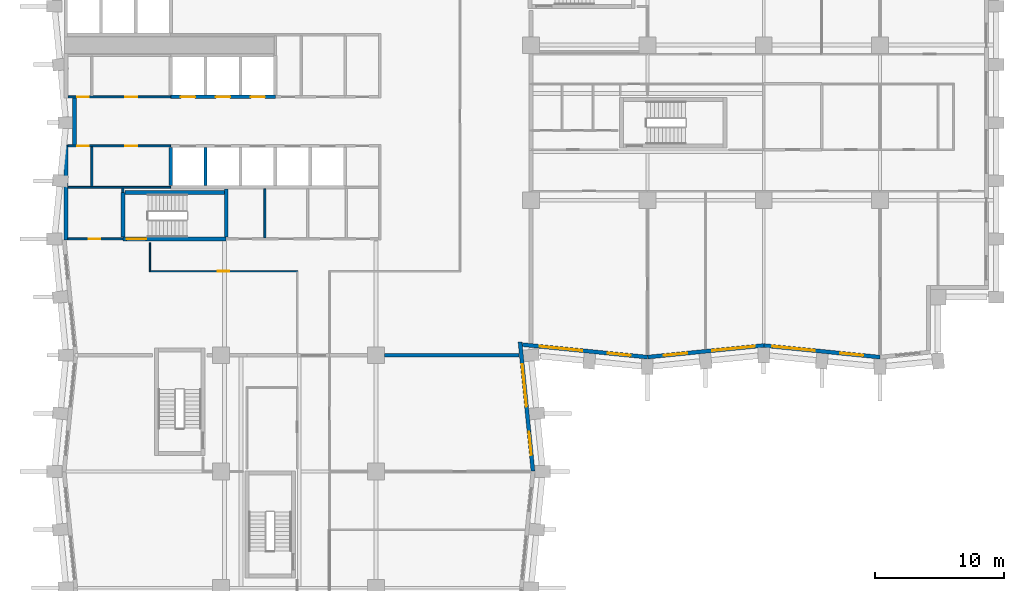
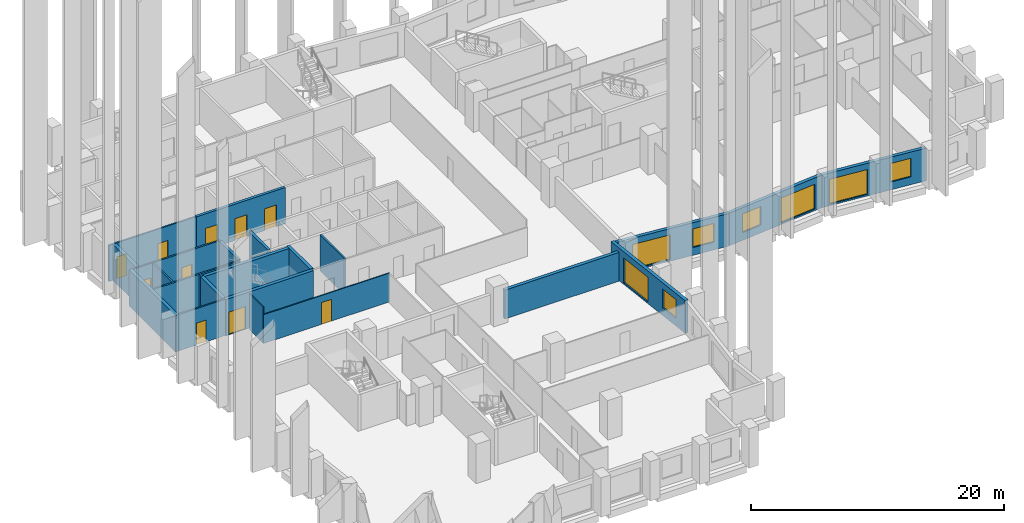
# One storey, part 5 of 12: 23 walls, 10 doors, 8 windows, 18 openings.
"""IFC4 building model written with IfcOpenShell, lengths in metres."""

from ifc_helpers import new_model, si_unit, direction, frame, frame_2d, origin, place, context, subcontext, project, spatial, rectangle, extrude, material, layer, layer_set, type_object, element, fill, save


model = new_model("IFC4")

# Units and contexts
model_context = context("Model", 3, precision=1e-05, world=origin(), true_north=direction((0.0, 1.0)))
body_context = subcontext(model_context, "Body", "Model", "MODEL_VIEW")
ifc_project = project(units=[si_unit("LENGTHUNIT", "METRE"), si_unit("AREAUNIT", "SQUARE_METRE"), si_unit("VOLUMEUNIT", "CUBIC_METRE"), si_unit("PLANEANGLEUNIT", "RADIAN"), si_unit("MASSUNIT", "GRAM", prefix="KILO")], contexts=[model_context])

# Site, building, storey
site_placement = place(None, origin())
site = spatial("IfcSite", under=ifc_project, at=site_placement, CompositionType="ELEMENT")
building_placement = place(site_placement, origin())
building = spatial("IfcBuilding", under=site, at=building_placement, Name="Brondeck Convention Tower", CompositionType="ELEMENT")
storey_placement = place(building_placement, frame((0.0, 0.0, 88.5)))
storey = spatial("IfcBuildingStorey", under=building, at=storey_placement, Name="L20", CompositionType="ELEMENT", Elevation=88.5)

# Walls
ifc_material_1 = material(Name="Concrete compartment wall C30/37", Category="concrete")
ifc_layer_1 = layer(ifc_material_1, 0.300048828125)
ifc_layer_set_1 = layer_set([ifc_layer_1], Name="Compartment wall 300")
wall_type_1 = type_object("IfcWallType", Name="Compartment wall 300", PredefinedType="PARTITIONING", material=ifc_layer_set_1)
wall_1_placement = place(storey_placement, frame((24.655029296875, 27.0, 0.0), z_axis=(0.0, 0.0, 1.0), x_axis=(1.0, 0.0, 0.0)))
element("IfcWall", 1, at=wall_1_placement, inside=storey, type_object=wall_type_1, Name="FLR-L20-W022", PredefinedType="PARTITIONING", context=body_context, shape_type="SweptSolid", body=[
    extrude(rectangle(XDim=10.42041015625, YDim=0.300048828125, at=frame_2d((5.210205078125, 0.0))), origin(), (0.0, 0.0, 1.0), 2.780029296875),
])
ifc_material_2 = material(Name="Concrete C70/85", Category="concrete")
ifc_layer_2 = layer(ifc_material_2, 0.300048828125)
ifc_layer_set_2 = layer_set([ifc_layer_2], Name="Core outer wall 300 Concrete C70/85")
wall_type_2 = type_object("IfcWallType", Name="Core outer wall 300 Concrete C70/85", PredefinedType="SHEAR", material=ifc_layer_set_2)
wall_2_placement = place(storey_placement, frame((0.0, 35.925048828125, 0.0), z_axis=(0.0, 0.0, 1.0), x_axis=(0.0, 1.0, 0.0)))
element("IfcWall", 2, at=wall_2_placement, inside=storey, type_object=wall_type_2, Name="L20 core wall", PredefinedType="SHEAR", context=body_context, shape_type="SweptSolid", body=[
    extrude(rectangle(XDim=7.349853515625, YDim=0.300048828125, at=frame_2d((3.6748046875, 0.0))), origin(), (0.0, 0.0, 1.0), 3.5),
])
wall_3_placement = place(storey_placement, frame((0.64990234375, 43.27490234375, 0.0), z_axis=(0.0, 0.0, 1.0), x_axis=(0.0, 1.0, 0.0)))
element("IfcWall", 3, at=wall_3_placement, inside=storey, type_object=wall_type_2, Name="L20 core wall", PredefinedType="SHEAR", context=body_context, shape_type="SweptSolid", body=[
    extrude(rectangle(XDim=3.650146484375, YDim=0.300048828125, at=frame_2d((1.8251953125, 0.0))), origin(), (0.0, 0.0, 1.0), 3.5),
])

# Wall, opening, door
ifc_material_3 = material(Name="Fire-rated gypsum board partition")
ifc_layer_3 = layer(ifc_material_3, 0.14990234375)
ifc_layer_set_3 = layer_set([ifc_layer_3], Name="Core partition 150 EI 60")
wall_type_3 = type_object("IfcWallType", Name="Core partition 150 EI 60", PredefinedType="PARTITIONING", material=ifc_layer_set_3)
wall_4_placement = place(storey_placement, frame((0.14990234375, 36.0, 0.0), z_axis=(0.0, 0.0, 1.0), x_axis=(1.0, 0.0, 0.0)))
wall_4 = element("IfcWall", 4, at=wall_4_placement, inside=storey, type_object=wall_type_3, Name="L20 core wall", PredefinedType="PARTITIONING", context=body_context, shape_type="SweptSolid", body=[
    extrude(rectangle(XDim=4.25, YDim=0.14990234375, at=frame_2d((2.125, 0.0))), origin(), (0.0, 0.0, 1.0), 3.5),
])
opening_1_placement = place(wall_4_placement, frame((1.60009765625, 0.0, 0.0)))
opening_1 = element("IfcOpeningElement", 5, at=opening_1_placement, cuts=wall_4, Name="Opening C14-07", PredefinedType="OPENING", context=body_context, shape_type="SweptSolid", body=[
    extrude(rectangle(XDim=0.89990234375, YDim=2.10009765625, at=frame_2d((0.449951171875, 1.050048828125))), frame((0.0, 0.0849609375, 0.0), z_axis=(0.0, -1.0, 0.0), x_axis=(1.0, 0.0, 0.0)), (0.0, 0.0, 1.0), 0.169921875),
])
ifc_material_4 = material(Name="Steel fire door", Category="steel")
door_type_1 = type_object("IfcDoorType", Name="Room door 900x2100 EI 60", OperationType="NOTDEFINED", PredefinedType="DOOR", material=ifc_material_4)
door_1_placement = place(opening_1_placement, origin())
door_1 = element("IfcDoor", 6, at=door_1_placement, inside=storey, type_object=door_type_1, Name="L20 Room door FRW-1", OperationType="SINGLE_SWING_LEFT", OverallHeight=2.10009765625, OverallWidth=0.89990234375, PredefinedType="DOOR", context=body_context, shape_type="SweptSolid", body=[
    extrude(rectangle(XDim=0.89990234375, YDim=2.10009765625, at=frame_2d((0.449951171875, 1.050048828125))), frame((0.0, 0.02490234375, 0.0), z_axis=(0.0, -1.0, 0.0), x_axis=(1.0, 0.0, 0.0)), (0.0, 0.0, 1.0), 0.050048828125),
])
fill(opening_1, door_1)

# Wall
wall_5_placement = place(storey_placement, frame((0.14990234375, 40.0, 0.0), z_axis=(0.0, 0.0, 1.0), x_axis=(1.0, 0.0, 0.0)))
element("IfcWall", 7, at=wall_5_placement, inside=storey, type_object=wall_type_3, Name="L20 core wall", PredefinedType="PARTITIONING", context=body_context, shape_type="SweptSolid", body=[
    extrude(rectangle(XDim=7.9501953125, YDim=0.14990234375, at=frame_2d((3.97509765625, 0.0))), origin(), (0.0, 0.0, 1.0), 3.5),
])

# Wall, openings, doors
wall_6_placement = place(storey_placement, frame((0.14990234375, 43.199951171875, 0.0), z_axis=(0.0, 0.0, 1.0), x_axis=(1.0, 0.0, 0.0)))
wall_6 = element("IfcWall", 8, at=wall_6_placement, inside=storey, type_object=wall_type_3, Name="L20 core wall", PredefinedType="PARTITIONING", context=body_context, shape_type="SweptSolid", body=[
    extrude(rectangle(XDim=7.9501953125, YDim=0.14990234375, at=frame_2d((3.97509765625, 0.0))), origin(), (0.0, 0.0, 1.0), 3.5),
])
opening_2_placement = place(wall_6_placement, frame((0.72509765625, 0.0, 0.0)))
opening_2 = element("IfcOpeningElement", 9, at=opening_2_placement, cuts=wall_6, Name="Opening C14-12", PredefinedType="OPENING", context=body_context, shape_type="SweptSolid", body=[
    extrude(rectangle(XDim=0.89990234375, YDim=2.10009765625, at=frame_2d((0.449951171875, 1.050048828125))), frame((0.0, 0.0849609375, 0.0), z_axis=(0.0, -1.0, 0.0), x_axis=(1.0, 0.0, 0.0)), (0.0, 0.0, 1.0), 0.169921875),
])
opening_3_placement = place(wall_6_placement, frame((4.449951171875, 0.0, 0.0)))
opening_3 = element("IfcOpeningElement", 10, at=opening_3_placement, cuts=wall_6, Name="Opening C14-13", PredefinedType="OPENING", context=body_context, shape_type="SweptSolid", body=[
    extrude(rectangle(XDim=0.89990234375, YDim=2.10009765625, at=frame_2d((0.449951171875, 1.050048828125))), frame((0.0, 0.0849609375, 0.0), z_axis=(0.0, -1.0, 0.0), x_axis=(1.0, 0.0, 0.0)), (0.0, 0.0, 1.0), 0.169921875),
])
door_2_placement = place(opening_2_placement, origin())
door_2 = element("IfcDoor", 11, at=door_2_placement, inside=storey, type_object=door_type_1, Name="L20 Room door FZ-S-0-1", OperationType="SINGLE_SWING_LEFT", OverallHeight=2.10009765625, OverallWidth=0.89990234375, PredefinedType="DOOR", context=body_context, shape_type="SweptSolid", body=[
    extrude(rectangle(XDim=0.89990234375, YDim=2.10009765625, at=frame_2d((0.449951171875, 1.050048828125))), frame((0.0, 0.02490234375, 0.0), z_axis=(0.0, -1.0, 0.0), x_axis=(1.0, 0.0, 0.0)), (0.0, 0.0, 1.0), 0.050048828125),
])
fill(opening_2, door_2)
door_3_placement = place(opening_3_placement, origin())
door_3 = element("IfcDoor", 12, at=door_3_placement, inside=storey, type_object=door_type_1, Name="L20 Room door FZ-S-0-2", OperationType="SINGLE_SWING_RIGHT", OverallHeight=2.10009765625, OverallWidth=0.89990234375, PredefinedType="DOOR", context=body_context, shape_type="SweptSolid", body=[
    extrude(rectangle(XDim=0.89990234375, YDim=2.10009765625, at=frame_2d((0.449951171875, 1.050048828125))), frame((0.0, 0.02490234375, 0.0), z_axis=(0.0, -1.0, 0.0), x_axis=(1.0, 0.0, 0.0)), (0.0, 0.0, 1.0), 0.050048828125),
])
fill(opening_3, door_3)

wall_7_placement = place(storey_placement, frame((0.14990234375, 47.0, 0.0), z_axis=(0.0, 0.0, 1.0), x_axis=(1.0, 0.0, 0.0)))
wall_7 = element("IfcWall", 13, at=wall_7_placement, inside=storey, type_object=wall_type_3, Name="L20 core wall", PredefinedType="PARTITIONING", context=body_context, shape_type="SweptSolid", body=[
    extrude(rectangle(XDim=7.9501953125, YDim=0.14990234375, at=frame_2d((3.97509765625, 0.0))), origin(), (0.0, 0.0, 1.0), 3.5),
])
opening_4_placement = place(wall_7_placement, frame((0.72509765625, 0.0, 0.0)))
opening_4 = element("IfcOpeningElement", 14, at=opening_4_placement, cuts=wall_7, Name="Opening C14-08", PredefinedType="OPENING", context=body_context, shape_type="SweptSolid", body=[
    extrude(rectangle(XDim=0.89990234375, YDim=2.10009765625, at=frame_2d((0.449951171875, 1.050048828125))), frame((0.0, 0.0849609375, 0.0), z_axis=(0.0, -1.0, 0.0), x_axis=(1.0, 0.0, 0.0)), (0.0, 0.0, 1.0), 0.169921875),
])
opening_5_placement = place(wall_7_placement, frame((4.449951171875, 0.0, 0.0)))
opening_5 = element("IfcOpeningElement", 15, at=opening_5_placement, cuts=wall_7, Name="Opening C14-09", PredefinedType="OPENING", context=body_context, shape_type="SweptSolid", body=[
    extrude(rectangle(XDim=0.89990234375, YDim=2.10009765625, at=frame_2d((0.449951171875, 1.050048828125))), frame((0.0, 0.0849609375, 0.0), z_axis=(0.0, -1.0, 0.0), x_axis=(1.0, 0.0, 0.0)), (0.0, 0.0, 1.0), 0.169921875),
])
door_4_placement = place(opening_4_placement, origin())
door_4 = element("IfcDoor", 16, at=door_4_placement, inside=storey, type_object=door_type_1, Name="L20 Room door FZ-N-0-1", OperationType="SINGLE_SWING_RIGHT", OverallHeight=2.10009765625, OverallWidth=0.89990234375, PredefinedType="DOOR", context=body_context, shape_type="SweptSolid", body=[
    extrude(rectangle(XDim=0.89990234375, YDim=2.10009765625, at=frame_2d((0.449951171875, 1.050048828125))), frame((0.0, 0.02490234375, 0.0), z_axis=(0.0, -1.0, 0.0), x_axis=(1.0, 0.0, 0.0)), (0.0, 0.0, 1.0), 0.050048828125),
])
fill(opening_4, door_4)
door_5_placement = place(opening_5_placement, origin())
door_5 = element("IfcDoor", 17, at=door_5_placement, inside=storey, type_object=door_type_1, Name="L20 Room door FZ-N-0-2", OperationType="SINGLE_SWING_LEFT", OverallHeight=2.10009765625, OverallWidth=0.89990234375, PredefinedType="DOOR", context=body_context, shape_type="SweptSolid", body=[
    extrude(rectangle(XDim=0.89990234375, YDim=2.10009765625, at=frame_2d((0.449951171875, 1.050048828125))), frame((0.0, 0.02490234375, 0.0), z_axis=(0.0, -1.0, 0.0), x_axis=(1.0, 0.0, 0.0)), (0.0, 0.0, 1.0), 0.050048828125),
])
fill(opening_5, door_5)

# Walls
wall_8_placement = place(storey_placement, frame((2.0, 40.074951171875, 0.0), z_axis=(0.0, 0.0, 1.0), x_axis=(0.0, 1.0, 0.0)))
element("IfcWall", 18, at=wall_8_placement, inside=storey, type_object=wall_type_3, Name="L20 core wall", PredefinedType="PARTITIONING", context=body_context, shape_type="SweptSolid", body=[
    extrude(rectangle(XDim=3.050048828125, YDim=0.14990234375, at=frame_2d((1.52490234375, 0.0))), origin(), (0.0, 0.0, 1.0), 3.5),
])
wall_9_placement = place(storey_placement, frame((4.39990234375, 39.60009765625, 0.0), z_axis=(0.0, 0.0, 1.0), x_axis=(0.0, 1.0, 0.0)))
element("IfcWall", 19, at=wall_9_placement, inside=storey, type_object=wall_type_3, Name="L20 core wall", PredefinedType="PARTITIONING", context=body_context, shape_type="SweptSolid", body=[
    extrude(rectangle(XDim=0.324951171875, YDim=0.14990234375, at=frame_2d((0.16259765625, 0.0))), origin(), (0.0, 0.0, 1.0), 3.5),
])
wall_10_placement = place(storey_placement, frame((15.39990234375, 36.074951171875, 0.0), z_axis=(0.0, 0.0, 1.0), x_axis=(0.0, 1.0, 0.0)))
element("IfcWall", 20, at=wall_10_placement, inside=storey, type_object=wall_type_3, Name="L20 core wall", PredefinedType="PARTITIONING", context=body_context, shape_type="SweptSolid", body=[
    extrude(rectangle(XDim=3.800048828125, YDim=0.14990234375, at=frame_2d((1.89990234375, 0.0))), origin(), (0.0, 0.0, 1.0), 3.5),
])

# Wall, openings, windows
ifc_material_5 = material(Name="Precast concrete C50/60 bronze finish", Category="concrete")
ifc_layer_4 = layer(ifc_material_5, 0.070068359375, Name="Bronze precast facing")
ifc_material_6 = material(Name="Mineral wool")
ifc_layer_5 = layer(ifc_material_6, 0.159912109375, Name="Insulation")
ifc_material_7 = material(Name="Concrete C35/45", Category="concrete")
ifc_layer_6 = layer(ifc_material_7, 0.070068359375, Name="Backing")
ifc_layer_set_4 = layer_set([ifc_layer_4, ifc_layer_5, ifc_layer_6], Name="External infill wall, precast concrete C50/60 bronze facing")
wall_type_4 = type_object("IfcWallType", Name="External infill wall, precast concrete C50/60 bronze facing", PredefinedType="SOLIDWALL", material=ifc_layer_set_4)
wall_11_placement = place(storey_placement, frame((35.144287109375, 28.02001953125, 0.0), z_axis=(0.0, 0.0, 1.0), x_axis=(0.099503719021, -0.99503719021, 0.0)))
wall_11 = element("IfcWall", 21, at=wall_11_placement, inside=storey, type_object=wall_type_4, Name="ENV-EW-L20-P0-B-E-01", PredefinedType="SOLIDWALL", context=body_context, shape_type="SweptSolid", body=[
    extrude(rectangle(XDim=10.0400390625, YDim=0.300048828125, at=frame_2d((5.02001953125, 0.0))), origin(), (0.0, 0.0, 1.0), 3.14990234375),
])
opening_6_placement = place(wall_11_placement, frame((1.711181640625, 0.0, 0.14990234375)))
opening_6 = element("IfcOpeningElement", 22, at=opening_6_placement, cuts=wall_11, Name="Opening W9", PredefinedType="OPENING", context=body_context, shape_type="SweptSolid", body=[
    extrude(rectangle(XDim=3.300048828125, YDim=2.39990234375, at=frame_2d((1.64990234375, 1.199951171875))), frame((0.0, 0.159912109375, 0.0), z_axis=(0.0, -1.0, 0.0), x_axis=(1.0, 0.0, 0.0)), (0.0, 0.0, 1.0), 0.320068359375),
])
opening_7_placement = place(wall_11_placement, frame((6.983642578125, 0.0, 0.75)))
opening_7 = element("IfcOpeningElement", 23, at=opening_7_placement, cuts=wall_11, Name="Opening W10", PredefinedType="OPENING", context=body_context, shape_type="SweptSolid", body=[
    extrude(rectangle(XDim=1.800048828125, YDim=1.800048828125, at=frame_2d((0.89990234375, 0.89990234375))), frame((0.0, 0.159912109375, 0.0), z_axis=(0.0, -1.0, 0.0), x_axis=(1.0, 0.0, 0.0)), (0.0, 0.0, 1.0), 0.320068359375),
])
ifc_material_8 = material(Name="Bronze tinted double glazing", Category="glass")
window_type_1 = type_object("IfcWindowType", Name="Glazed flute window, bronze tinted", PartitioningType="SINGLE_PANEL", PredefinedType="WINDOW", material=ifc_material_8)
window_1_placement = place(opening_6_placement, origin())
window_1 = element("IfcWindow", 24, at=window_1_placement, inside=storey, type_object=window_type_1, Name="ENV-WN-L20-P0-B-E-00", OverallHeight=2.39990234375, OverallWidth=3.300048828125, PartitioningType="SINGLE_PANEL", PredefinedType="WINDOW", context=body_context, shape_type="SweptSolid", body=[
    extrude(rectangle(XDim=3.300048828125, YDim=2.39990234375, at=frame_2d((1.64990234375, 1.199951171875))), frame((0.0, 0.030029296875, 0.0), z_axis=(0.0, -1.0, 0.0), x_axis=(1.0, 0.0, 0.0)), (0.0, 0.0, 1.0), 0.06005859375),
])
fill(opening_6, window_1)
window_type_2 = type_object("IfcWindowType", Name="Punched window, bronze tinted", PartitioningType="SINGLE_PANEL", PredefinedType="WINDOW", material=ifc_material_8)
window_2_placement = place(opening_7_placement, origin())
window_2 = element("IfcWindow", 25, at=window_2_placement, inside=storey, type_object=window_type_2, Name="ENV-WN-L20-P0-B-E-01", OverallHeight=1.800048828125, OverallWidth=1.800048828125, PartitioningType="SINGLE_PANEL", PredefinedType="WINDOW", context=body_context, shape_type="SweptSolid", body=[
    extrude(rectangle(XDim=1.800048828125, YDim=1.800048828125, at=frame_2d((0.89990234375, 0.89990234375))), frame((0.0, 0.030029296875, 0.0), z_axis=(0.0, -1.0, 0.0), x_axis=(1.0, 0.0, 0.0)), (0.0, 0.0, 1.0), 0.06005859375),
])
fill(opening_7, window_2)

wall_12_placement = place(storey_placement, frame((45.014892578125, 26.852294921875, 0.0), z_axis=(0.0, 0.0, 1.0), x_axis=(-0.995037438546, 0.099501235631, 0.0)))
wall_12 = element("IfcWall", 26, at=wall_12_placement, inside=storey, type_object=wall_type_4, Name="ENV-EW-L20-P0-A-S-00", PredefinedType="SOLIDWALL", context=body_context, shape_type="SweptSolid", body=[
    extrude(rectangle(XDim=9.733642578125, YDim=0.300048828125, at=frame_2d((4.86669921875, 0.0))), origin(), (0.0, 0.0, 1.0), 3.14990234375),
])
opening_8_placement = place(wall_12_placement, frame((1.30126953125, 0.0, 0.75)))
opening_8 = element("IfcOpeningElement", 27, at=opening_8_placement, cuts=wall_12, Name="Opening W10", PredefinedType="OPENING", context=body_context, shape_type="SweptSolid", body=[
    extrude(rectangle(XDim=1.800048828125, YDim=1.800048828125, at=frame_2d((0.89990234375, 0.89990234375))), frame((0.0, 0.159912109375, 0.0), z_axis=(0.0, -1.0, 0.0), x_axis=(1.0, 0.0, 0.0)), (0.0, 0.0, 1.0), 0.320068359375),
])
opening_9_placement = place(wall_12_placement, frame((5.073486328125, 0.0, 0.14990234375)))
opening_9 = element("IfcOpeningElement", 28, at=opening_9_placement, cuts=wall_12, Name="Opening W9", PredefinedType="OPENING", context=body_context, shape_type="SweptSolid", body=[
    extrude(rectangle(XDim=3.300048828125, YDim=2.39990234375, at=frame_2d((1.64990234375, 1.199951171875))), frame((0.0, 0.159912109375, 0.0), z_axis=(0.0, -1.0, 0.0), x_axis=(1.0, 0.0, 0.0)), (0.0, 0.0, 1.0), 0.320068359375),
])
window_3_placement = place(opening_9_placement, origin())
window_3 = element("IfcWindow", 29, at=window_3_placement, inside=storey, type_object=window_type_1, Name="ENV-WN-L20-P0-A-S-00", OverallHeight=2.39990234375, OverallWidth=3.300048828125, PartitioningType="SINGLE_PANEL", PredefinedType="WINDOW", context=body_context, shape_type="SweptSolid", body=[
    extrude(rectangle(XDim=3.300048828125, YDim=2.39990234375, at=frame_2d((1.64990234375, 1.199951171875))), frame((0.0, 0.030029296875, 0.0), z_axis=(0.0, -1.0, 0.0), x_axis=(1.0, 0.0, 0.0)), (0.0, 0.0, 1.0), 0.06005859375),
])
fill(opening_9, window_3)
window_4_placement = place(opening_8_placement, origin())
window_4 = element("IfcWindow", 30, at=window_4_placement, inside=storey, type_object=window_type_2, Name="ENV-WN-L20-P0-A-S-01", OverallHeight=1.800048828125, OverallWidth=1.800048828125, PartitioningType="SINGLE_PANEL", PredefinedType="WINDOW", context=body_context, shape_type="SweptSolid", body=[
    extrude(rectangle(XDim=1.800048828125, YDim=1.800048828125, at=frame_2d((0.89990234375, 0.89990234375))), frame((0.0, 0.030029296875, 0.0), z_axis=(0.0, -1.0, 0.0), x_axis=(1.0, 0.0, 0.0)), (0.0, 0.0, 1.0), 0.06005859375),
])
fill(opening_8, window_4)

wall_13_placement = place(storey_placement, frame((54.014892578125, 27.755126953125, 0.0), z_axis=(0.0, 0.0, 1.0), x_axis=(-0.995037993253, -0.099495688264, 0.0)))
wall_13 = element("IfcWall", 31, at=wall_13_placement, inside=storey, type_object=wall_type_4, Name="ENV-EW-L20-P0-A-S-02", PredefinedType="SOLIDWALL", context=body_context, shape_type="SweptSolid", body=[
    extrude(rectangle(XDim=9.030029296875, YDim=0.300048828125, at=frame_2d((4.51513671875, 0.0))), origin(), (0.0, 0.0, 1.0), 3.14990234375),
])
opening_10_placement = place(wall_13_placement, frame((0.701171875, 0.0, 0.14990234375)))
opening_10 = element("IfcOpeningElement", 32, at=opening_10_placement, cuts=wall_13, Name="Opening W9", PredefinedType="OPENING", context=body_context, shape_type="SweptSolid", body=[
    extrude(rectangle(XDim=3.300048828125, YDim=2.39990234375, at=frame_2d((1.64990234375, 1.199951171875))), frame((0.0, 0.159912109375, 0.0), z_axis=(0.0, -1.0, 0.0), x_axis=(1.0, 0.0, 0.0)), (0.0, 0.0, 1.0), 0.320068359375),
])
opening_11_placement = place(wall_13_placement, frame((5.9736328125, 0.0, 0.75)))
opening_11 = element("IfcOpeningElement", 33, at=opening_11_placement, cuts=wall_13, Name="Opening W10", PredefinedType="OPENING", context=body_context, shape_type="SweptSolid", body=[
    extrude(rectangle(XDim=1.800048828125, YDim=1.800048828125, at=frame_2d((0.89990234375, 0.89990234375))), frame((0.0, 0.159912109375, 0.0), z_axis=(0.0, -1.0, 0.0), x_axis=(1.0, 0.0, 0.0)), (0.0, 0.0, 1.0), 0.320068359375),
])
window_5_placement = place(opening_10_placement, origin())
window_5 = element("IfcWindow", 34, at=window_5_placement, inside=storey, type_object=window_type_1, Name="ENV-WN-L20-P0-A-S-03", OverallHeight=2.39990234375, OverallWidth=3.300048828125, PartitioningType="SINGLE_PANEL", PredefinedType="WINDOW", context=body_context, shape_type="SweptSolid", body=[
    extrude(rectangle(XDim=3.300048828125, YDim=2.39990234375, at=frame_2d((1.64990234375, 1.199951171875))), frame((0.0, 0.030029296875, 0.0), z_axis=(0.0, -1.0, 0.0), x_axis=(1.0, 0.0, 0.0)), (0.0, 0.0, 1.0), 0.06005859375),
])
fill(opening_10, window_5)
window_6_placement = place(opening_11_placement, origin())
window_6 = element("IfcWindow", 35, at=window_6_placement, inside=storey, type_object=window_type_2, Name="ENV-WN-L20-P0-A-S-02", OverallHeight=1.800048828125, OverallWidth=1.800048828125, PartitioningType="SINGLE_PANEL", PredefinedType="WINDOW", context=body_context, shape_type="SweptSolid", body=[
    extrude(rectangle(XDim=1.800048828125, YDim=1.800048828125, at=frame_2d((0.89990234375, 0.89990234375))), frame((0.0, 0.030029296875, 0.0), z_axis=(0.0, -1.0, 0.0), x_axis=(1.0, 0.0, 0.0)), (0.0, 0.0, 1.0), 0.06005859375),
])
fill(opening_11, window_6)

wall_14_placement = place(storey_placement, frame((63.014892578125, 26.852294921875, 0.0), z_axis=(0.0, 0.0, 1.0), x_axis=(-0.995037993253, 0.099495688264, 0.0)))
wall_14 = element("IfcWall", 36, at=wall_14_placement, inside=storey, type_object=wall_type_4, Name="ENV-EW-L20-P0-A-S-04", PredefinedType="SOLIDWALL", context=body_context, shape_type="SweptSolid", body=[
    extrude(rectangle(XDim=9.030029296875, YDim=0.300048828125, at=frame_2d((4.51513671875, 0.0))), origin(), (0.0, 0.0, 1.0), 3.14990234375),
])
opening_12_placement = place(wall_14_placement, frame((1.30126953125, 0.0, 0.75)))
opening_12 = element("IfcOpeningElement", 37, at=opening_12_placement, cuts=wall_14, Name="Opening W10", PredefinedType="OPENING", context=body_context, shape_type="SweptSolid", body=[
    extrude(rectangle(XDim=1.800048828125, YDim=1.800048828125, at=frame_2d((0.89990234375, 0.89990234375))), frame((0.0, 0.159912109375, 0.0), z_axis=(0.0, -1.0, 0.0), x_axis=(1.0, 0.0, 0.0)), (0.0, 0.0, 1.0), 0.320068359375),
])
opening_13_placement = place(wall_14_placement, frame((5.073486328125, 0.0, 0.14990234375)))
opening_13 = element("IfcOpeningElement", 38, at=opening_13_placement, cuts=wall_14, Name="Opening W9", PredefinedType="OPENING", context=body_context, shape_type="SweptSolid", body=[
    extrude(rectangle(XDim=3.300048828125, YDim=2.39990234375, at=frame_2d((1.64990234375, 1.199951171875))), frame((0.0, 0.159912109375, 0.0), z_axis=(0.0, -1.0, 0.0), x_axis=(1.0, 0.0, 0.0)), (0.0, 0.0, 1.0), 0.320068359375),
])
window_7_placement = place(opening_13_placement, origin())
window_7 = element("IfcWindow", 39, at=window_7_placement, inside=storey, type_object=window_type_1, Name="ENV-WN-L20-P0-A-S-04", OverallHeight=2.39990234375, OverallWidth=3.300048828125, PartitioningType="SINGLE_PANEL", PredefinedType="WINDOW", context=body_context, shape_type="SweptSolid", body=[
    extrude(rectangle(XDim=3.300048828125, YDim=2.39990234375, at=frame_2d((1.64990234375, 1.199951171875))), frame((0.0, 0.030029296875, 0.0), z_axis=(0.0, -1.0, 0.0), x_axis=(1.0, 0.0, 0.0)), (0.0, 0.0, 1.0), 0.06005859375),
])
fill(opening_13, window_7)
window_8_placement = place(opening_12_placement, origin())
window_8 = element("IfcWindow", 40, at=window_8_placement, inside=storey, type_object=window_type_2, Name="ENV-WN-L20-P0-A-S-05", OverallHeight=1.800048828125, OverallWidth=1.800048828125, PartitioningType="SINGLE_PANEL", PredefinedType="WINDOW", context=body_context, shape_type="SweptSolid", body=[
    extrude(rectangle(XDim=1.800048828125, YDim=1.800048828125, at=frame_2d((0.89990234375, 0.89990234375))), frame((0.0, 0.030029296875, 0.0), z_axis=(0.0, -1.0, 0.0), x_axis=(1.0, 0.0, 0.0)), (0.0, 0.0, 1.0), 0.06005859375),
])
fill(opening_12, window_8)

# Wall, openings, doors
ifc_layer_7 = layer(ifc_material_2, 0.25)
ifc_layer_set_5 = layer_set([ifc_layer_7], Name="Lift shaft wall 250 Concrete C70/85")
wall_type_5 = type_object("IfcWallType", Name="Lift shaft wall 250 Concrete C70/85", PredefinedType="SHEAR", material=ifc_layer_set_5)
wall_15_placement = place(storey_placement, frame((8.10009765625, 47.0, 0.0), z_axis=(0.0, 0.0, 1.0), x_axis=(1.0, 0.0, 0.0)))
wall_15 = element("IfcWall", 41, at=wall_15_placement, inside=storey, type_object=wall_type_5, Name="L20 core wall", PredefinedType="SHEAR", context=body_context, shape_type="SweptSolid", body=[
    extrude(rectangle(XDim=8.099853515625, YDim=0.25, at=frame_2d((4.0498046875, 0.0))), origin(), (0.0, 0.0, 1.0), 3.5),
])
opening_14_placement = place(wall_15_placement, frame((0.800048828125, 0.0, 0.0)))
opening_14 = element("IfcOpeningElement", 42, at=opening_14_placement, cuts=wall_15, Name="Opening C14-30", PredefinedType="OPENING", context=body_context, shape_type="SweptSolid", body=[
    extrude(rectangle(XDim=1.10009765625, YDim=2.10009765625, at=frame_2d((0.550048828125, 1.050048828125))), frame((0.0, 0.135009765625, 0.0), z_axis=(0.0, -1.0, 0.0), x_axis=(1.0, 0.0, 0.0)), (0.0, 0.0, 1.0), 0.27001953125),
])
opening_15_placement = place(wall_15_placement, frame((3.5, 0.0, 0.0)))
opening_15 = element("IfcOpeningElement", 43, at=opening_15_placement, cuts=wall_15, Name="Opening C14-31", PredefinedType="OPENING", context=body_context, shape_type="SweptSolid", body=[
    extrude(rectangle(XDim=1.10009765625, YDim=2.10009765625, at=frame_2d((0.550048828125, 1.050048828125))), frame((0.0, 0.135009765625, 0.0), z_axis=(0.0, -1.0, 0.0), x_axis=(1.0, 0.0, 0.0)), (0.0, 0.0, 1.0), 0.27001953125),
])
opening_16_placement = place(wall_15_placement, frame((6.199951171875, 0.0, 0.0)))
opening_16 = element("IfcOpeningElement", 44, at=opening_16_placement, cuts=wall_15, Name="Opening C14-32", PredefinedType="OPENING", context=body_context, shape_type="SweptSolid", body=[
    extrude(rectangle(XDim=1.10009765625, YDim=2.10009765625, at=frame_2d((0.550048828125, 1.050048828125))), frame((0.0, 0.135009765625, 0.0), z_axis=(0.0, -1.0, 0.0), x_axis=(1.0, 0.0, 0.0)), (0.0, 0.0, 1.0), 0.27001953125),
])
ifc_material_9 = material(Name="Stainless steel lift door", Category="steel")
door_type_2 = type_object("IfcDoorType", Name="Lift landing door 1100x2100 EI 180", OperationType="DOUBLE_DOOR_SLIDING", PredefinedType="DOOR", material=ifc_material_9)
door_6_placement = place(opening_14_placement, origin())
door_6 = element("IfcDoor", 45, at=door_6_placement, inside=storey, type_object=door_type_2, Name="L20 Lift landing door LR4", OperationType="DOUBLE_DOOR_SLIDING", OverallHeight=2.10009765625, OverallWidth=1.10009765625, PredefinedType="DOOR", context=body_context, shape_type="SweptSolid", body=[
    extrude(rectangle(XDim=1.10009765625, YDim=2.10009765625, at=frame_2d((0.550048828125, 1.050048828125))), frame((0.0, 0.02490234375, 0.0), z_axis=(0.0, -1.0, 0.0), x_axis=(1.0, 0.0, 0.0)), (0.0, 0.0, 1.0), 0.050048828125),
])
fill(opening_14, door_6)
door_7_placement = place(opening_15_placement, origin())
door_7 = element("IfcDoor", 46, at=door_7_placement, inside=storey, type_object=door_type_2, Name="L20 Lift landing door LR5", OperationType="DOUBLE_DOOR_SLIDING", OverallHeight=2.10009765625, OverallWidth=1.10009765625, PredefinedType="DOOR", context=body_context, shape_type="SweptSolid", body=[
    extrude(rectangle(XDim=1.10009765625, YDim=2.10009765625, at=frame_2d((0.550048828125, 1.050048828125))), frame((0.0, 0.02490234375, 0.0), z_axis=(0.0, -1.0, 0.0), x_axis=(1.0, 0.0, 0.0)), (0.0, 0.0, 1.0), 0.050048828125),
])
fill(opening_15, door_7)
door_8_placement = place(opening_16_placement, origin())
door_8 = element("IfcDoor", 47, at=door_8_placement, inside=storey, type_object=door_type_2, Name="L20 Lift landing door LR6", OperationType="DOUBLE_DOOR_SLIDING", OverallHeight=2.10009765625, OverallWidth=1.10009765625, PredefinedType="DOOR", context=body_context, shape_type="SweptSolid", body=[
    extrude(rectangle(XDim=1.10009765625, YDim=2.10009765625, at=frame_2d((0.550048828125, 1.050048828125))), frame((0.0, 0.02490234375, 0.0), z_axis=(0.0, -1.0, 0.0), x_axis=(1.0, 0.0, 0.0)), (0.0, 0.0, 1.0), 0.050048828125),
])
fill(opening_16, door_8)

# Walls
for number, where, z_axis, x_axis, name in (
    (48, (8.10009765625, 40.125, 0.0), (0.0, 0.0, 1.0), (0.0, 1.0, 0.0), "L20 core wall"),
    (49, (10.800048828125, 40.125, 0.0), (0.0, 0.0, 1.0), (0.0, 1.0, 0.0), "L20 core wall"),
):
    element("IfcWall", number, at=place(storey_placement, frame(where, z_axis=z_axis, x_axis=x_axis)), inside=storey, type_object=wall_type_5, Name=name, PredefinedType="SHEAR", context=body_context, shape_type="SweptSolid", body=[
        extrude(rectangle(XDim=2.949951171875, YDim=0.25, at=frame_2d((1.47509765625, 0.0))), origin(), (0.0, 0.0, 1.0), 3.5),
    ])

# Wall, opening, door
ifc_material_10 = material(Name="Gypsum board partition on steel studs", Category="steel")
ifc_layer_8 = layer(ifc_material_10, 0.10009765625)
ifc_layer_set_6 = layer_set([ifc_layer_8], Name="Room partition 100")
wall_type_6 = type_object("IfcWallType", Name="Room partition 100", PredefinedType="PARTITIONING", material=ifc_layer_set_6)
wall_16_placement = place(storey_placement, frame((17.949951171875, 33.5, 0.0), z_axis=(0.0, 0.0, 1.0), x_axis=(-1.0, 0.0, 0.0)))
wall_16 = element("IfcWall", 50, at=wall_16_placement, inside=storey, type_object=wall_type_6, Name="FLR-L20-W026", PredefinedType="PARTITIONING", context=body_context, shape_type="SweptSolid", body=[
    extrude(rectangle(XDim=11.5, YDim=0.10009765625, at=frame_2d((5.75, 0.0))), origin(), (0.0, 0.0, 1.0), 2.780029296875),
])
opening_17_placement = place(wall_16_placement, frame((5.300048828125, 0.0, 0.0)))
opening_17 = element("IfcOpeningElement", 51, at=opening_17_placement, cuts=wall_16, Name="Opening OF-A-022", PredefinedType="OPENING", context=body_context, shape_type="SweptSolid", body=[
    extrude(rectangle(XDim=0.89990234375, YDim=2.10009765625, at=frame_2d((0.449951171875, 1.050048828125))), frame((0.0, 0.06005859375, 0.0), z_axis=(0.0, -1.0, 0.0), x_axis=(1.0, 0.0, 0.0)), (0.0, 0.0, 1.0), 0.1201171875),
])
ifc_material_11 = material(Name="Solid timber door leaf", Category="wood")
door_type_3 = type_object("IfcDoorType", Name="Single door 900", OperationType="NOTDEFINED", PredefinedType="DOOR", material=ifc_material_11)
door_9_placement = place(opening_17_placement, origin())
door_9 = element("IfcDoor", 52, at=door_9_placement, inside=storey, type_object=door_type_3, Name="Door OF-A-022", OperationType="SINGLE_SWING_LEFT", OverallHeight=2.10009765625, OverallWidth=0.89990234375, PredefinedType="DOOR", context=body_context, shape_type="SweptSolid", body=[
    extrude(rectangle(XDim=0.89990234375, YDim=2.10009765625, at=frame_2d((0.449951171875, 1.050048828125))), frame((0.0, 0.02490234375, 0.0), z_axis=(0.0, -1.0, 0.0), x_axis=(1.0, 0.0, 0.0)), (0.0, 0.0, 1.0), 0.050048828125),
])
fill(opening_17, door_9)

# Wall
wall_17_placement = place(storey_placement, frame((6.5, 33.550048828125, 0.0), z_axis=(0.0, 0.0, 1.0), x_axis=(0.0, 1.0, 0.0)))
element("IfcWall", 53, at=wall_17_placement, inside=storey, type_object=wall_type_6, Name="FLR-L20-W028", PredefinedType="PARTITIONING", context=body_context, shape_type="SweptSolid", body=[
    extrude(rectangle(XDim=2.14990234375, YDim=0.10009765625, at=frame_2d((1.074951171875, 0.0))), origin(), (0.0, 0.0, 1.0), 3.47998046875),
])

# Wall, opening, door
ifc_layer_9 = layer(ifc_material_2, 0.300048828125)
ifc_layer_set_7 = layer_set([ifc_layer_9], Name="Stair enclosure wall 300 Concrete C70/85")
wall_type_7 = type_object("IfcWallType", Name="Stair enclosure wall 300 Concrete C70/85", PredefinedType="SHEAR", material=ifc_layer_set_7)
wall_18_placement = place(storey_placement, frame((4.39990234375, 36.0, 0.0), z_axis=(0.0, 0.0, 1.0), x_axis=(1.0, 0.0, 0.0)))
wall_18 = element("IfcWall", 54, at=wall_18_placement, inside=storey, type_object=wall_type_7, Name="L20 core wall", PredefinedType="SHEAR", context=body_context, shape_type="SweptSolid", body=[
    extrude(rectangle(XDim=8.0, YDim=0.300048828125, at=frame_2d((4.0, 0.0))), origin(), (0.0, 0.0, 1.0), 3.5),
])
opening_18_placement = place(wall_18_placement, frame((0.300048828125, 0.0, 0.0)))
opening_18 = element("IfcOpeningElement", 55, at=opening_18_placement, cuts=wall_18, Name="Opening C14-17", PredefinedType="OPENING", context=body_context, shape_type="SweptSolid", body=[
    extrude(rectangle(XDim=1.5, YDim=2.199951171875, at=frame_2d((0.75, 1.10009765625))), frame((0.0, 0.159912109375, 0.0), z_axis=(0.0, -1.0, 0.0), x_axis=(1.0, 0.0, 0.0)), (0.0, 0.0, 1.0), 0.320068359375),
])
door_type_4 = type_object("IfcDoorType", Name="Stair door 1500x2200 EI 90", OperationType="NOTDEFINED", PredefinedType="DOOR", material=ifc_material_4)
door_10_placement = place(opening_18_placement, origin())
door_10 = element("IfcDoor", 56, at=door_10_placement, inside=storey, type_object=door_type_4, Name="L20 Stair door ST-1", OperationType="SINGLE_SWING_RIGHT", OverallHeight=2.199951171875, OverallWidth=1.5, PredefinedType="DOOR", context=body_context, shape_type="SweptSolid", body=[
    extrude(rectangle(XDim=1.5, YDim=2.199951171875, at=frame_2d((0.75, 1.10009765625))), frame((0.0, 0.02490234375, 0.0), z_axis=(0.0, -1.0, 0.0), x_axis=(1.0, 0.0, 0.0)), (0.0, 0.0, 1.0), 0.050048828125),
])
fill(opening_18, door_10)

# Walls
wall_19_placement = place(storey_placement, frame((4.550048828125, 39.60009765625, 0.0), z_axis=(0.0, 0.0, 1.0), x_axis=(1.0, 0.0, 0.0)))
element("IfcWall", 57, at=wall_19_placement, inside=storey, type_object=wall_type_7, Name="L20 core wall", PredefinedType="SHEAR", context=body_context, shape_type="SweptSolid", body=[
    extrude(rectangle(XDim=7.699951171875, YDim=0.300048828125, at=frame_2d((3.85009765625, 0.0))), origin(), (0.0, 0.0, 1.0), 3.5),
])
wall_20_placement = place(storey_placement, frame((4.39990234375, 36.14990234375, 0.0), z_axis=(0.0, 0.0, 1.0), x_axis=(0.0, 1.0, 0.0)))
element("IfcWall", 58, at=wall_20_placement, inside=storey, type_object=wall_type_7, Name="L20 core wall", PredefinedType="SHEAR", context=body_context, shape_type="SweptSolid", body=[
    extrude(rectangle(XDim=3.4501953125, YDim=0.300048828125, at=frame_2d((1.72509765625, 0.0))), origin(), (0.0, 0.0, 1.0), 3.5),
])
wall_21_placement = place(storey_placement, frame((12.39990234375, 36.14990234375, 0.0), z_axis=(0.0, 0.0, 1.0), x_axis=(0.0, 1.0, 0.0)))
element("IfcWall", 59, at=wall_21_placement, inside=storey, type_object=wall_type_7, Name="L20 core wall", PredefinedType="SHEAR", context=body_context, shape_type="SweptSolid", body=[
    extrude(rectangle(XDim=3.72509765625, YDim=0.300048828125, at=frame_2d((1.862548828125, 0.0))), origin(), (0.0, 0.0, 1.0), 3.5),
])

save(model, "model.ifc")
